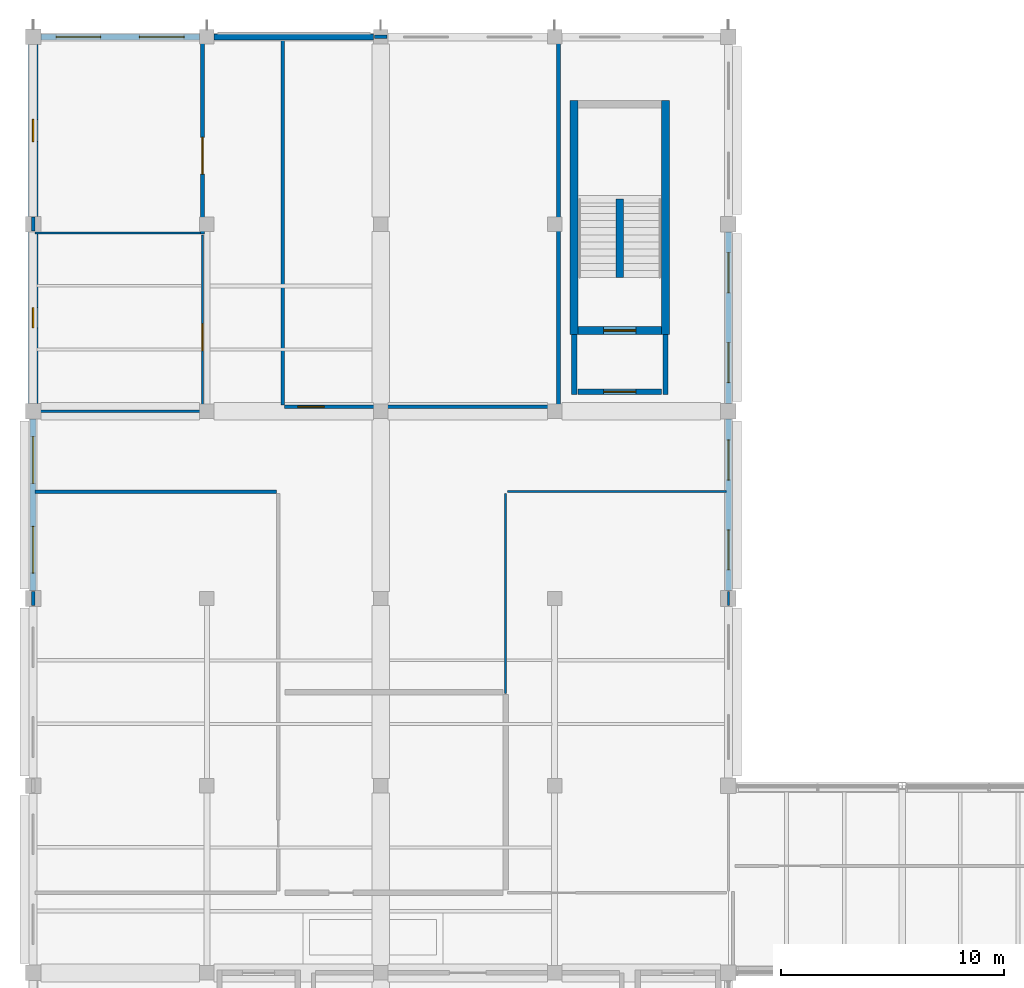
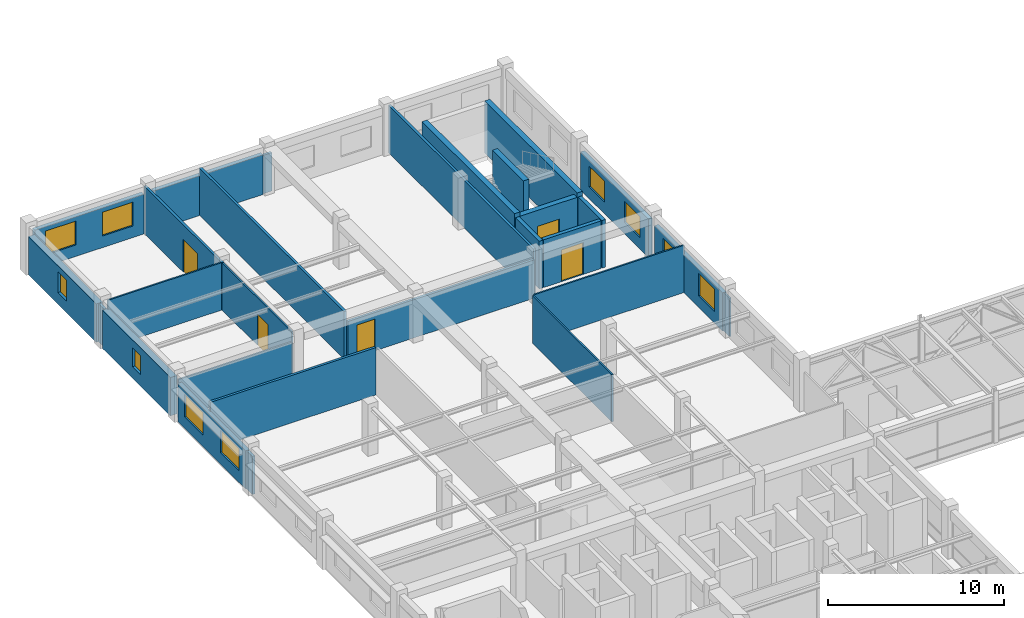
# One storey, part 43 of 49: 28 walls, 10 windows, 5 doors, 15 openings.
"""IFC4 building model written with IfcOpenShell, lengths in metres."""

from ifc_helpers import new_model, si_unit, direction, frame, frame_2d, origin, place, context, subcontext, project, spatial, rectangle, extrude, material, layer, layer_set, type_object, element, fill, save


model = new_model("IFC4")

# Units and contexts
model_context = context("Model", 3, precision=1e-05, world=origin(), true_north=direction((0.0, 1.0)))
body_context = subcontext(model_context, "Body", "Model", "MODEL_VIEW")
ifc_project = project(units=[si_unit("LENGTHUNIT", "METRE"), si_unit("AREAUNIT", "SQUARE_METRE"), si_unit("VOLUMEUNIT", "CUBIC_METRE"), si_unit("PLANEANGLEUNIT", "RADIAN"), si_unit("MASSUNIT", "GRAM", prefix="KILO"), si_unit("THERMODYNAMICTEMPERATUREUNIT", "KELVIN"), si_unit("POWERUNIT", "WATT")], contexts=[model_context])

# Site, building, storey
site_placement = place(None, origin())
site = spatial("IfcSite", under=ifc_project, at=site_placement, CompositionType="ELEMENT")
building_placement = place(site_placement, origin())
building = spatial("IfcBuilding", under=site, at=building_placement, Name="Srebrne Nadtorze General Hospital", CompositionType="ELEMENT")
storey_placement = place(building_placement, frame((0.0, 0.0, 26.10009765625)))
storey = spatial("IfcBuildingStorey", under=building, at=storey_placement, Name="L06", CompositionType="ELEMENT", Elevation=26.10009765625)

# Wall, opening, window
ifc_material_1 = material(Name="Concrete C40/50", Category="concrete")
ifc_layer_1 = layer(ifc_material_1, 0.419921875)
ifc_layer_set_1 = layer_set([ifc_layer_1], Name="Concrete C40/50")
wall_type_1 = type_object("IfcWallType", Name="Acoustic buffer wall 420", PredefinedType="SOLIDWALL", material=ifc_layer_set_1)
wall_1_placement = place(storey_placement, frame((23.39990234375, 75.949951171875, 0.0), z_axis=(0.0, 0.0, 1.0), x_axis=(0.0, 1.0, 0.0)))
wall_1 = element("IfcWall", 1, at=wall_1_placement, inside=storey, type_object=wall_type_1, Name="Exterior wall WL-ENV-L06-0487", PredefinedType="SOLIDWALL", context=body_context, shape_type="SweptSolid", body=[
    extrude(rectangle(XDim=7.699951171875, YDim=0.419921875, at=frame_2d((3.85009765625, 0.0))), origin(), (0.0, 0.0, 1.0), 2.64990234375),
])
opening_1_placement = place(wall_1_placement, frame((3.39990234375, 0.0, 0.800048828125)))
opening_1 = element("IfcOpeningElement", 2, at=opening_1_placement, cuts=wall_1, Name="Opening WN-L06-0807", PredefinedType="OPENING", context=body_context, shape_type="SweptSolid", body=[
    extrude(rectangle(XDim=0.89990234375, YDim=1.300048828125, at=frame_2d((0.449951171875, 0.64990234375))), frame((0.0, 0.221923828125, 0.0), z_axis=(0.0, -1.0, 0.0), x_axis=(1.0, 0.0, 0.0)), (0.0, 0.0, 1.0), 0.44384765625),
])
ifc_material_2 = material(Name="Triple Low-E Glazing", Category="glass")
window_type_1 = type_object("IfcWindowType", Name="Punched clinical window 900x1300", PartitioningType="SINGLE_PANEL", PredefinedType="WINDOW", material=ifc_material_2)
window_1_placement = place(opening_1_placement, origin())
window_1 = element("IfcWindow", 3, at=window_1_placement, inside=storey, type_object=window_type_1, Name="Clinical window WN-L06-0807", OverallHeight=1.300048828125, OverallWidth=0.89990234375, PartitioningType="SINGLE_PANEL", PredefinedType="WINDOW", context=body_context, shape_type="SweptSolid", body=[
    extrude(rectangle(XDim=0.89990234375, YDim=1.300048828125, at=frame_2d((0.449951171875, 0.64990234375))), frame((0.0, 0.030029296875, 0.0), z_axis=(0.0, -1.0, 0.0), x_axis=(1.0, 0.0, 0.0)), (0.0, 0.0, 1.0), 0.06005859375),
])
fill(opening_1, window_1)

wall_2_placement = place(storey_placement, frame((23.39990234375, 84.35009765625, 0.0), z_axis=(0.0, 0.0, 1.0), x_axis=(0.0, 1.0, 0.0)))
wall_2 = element("IfcWall", 4, at=wall_2_placement, inside=storey, type_object=wall_type_1, Name="Exterior wall WL-ENV-L06-0488", PredefinedType="SOLIDWALL", context=body_context, shape_type="SweptSolid", body=[
    extrude(rectangle(XDim=7.699951171875, YDim=0.419921875, at=frame_2d((3.85009765625, 0.0))), origin(), (0.0, 0.0, 1.0), 2.64990234375),
])
opening_2_placement = place(wall_2_placement, frame((3.35009765625, 0.0, 0.800048828125)))
opening_2 = element("IfcOpeningElement", 5, at=opening_2_placement, cuts=wall_2, Name="Opening WN-L06-0808", PredefinedType="OPENING", context=body_context, shape_type="SweptSolid", body=[
    extrude(rectangle(XDim=1.0, YDim=1.449951171875, at=frame_2d((0.5, 0.72509765625))), frame((0.0, 0.221923828125, 0.0), z_axis=(0.0, -1.0, 0.0), x_axis=(1.0, 0.0, 0.0)), (0.0, 0.0, 1.0), 0.44384765625),
])
ifc_material_3 = material(Name="Triple Low-E Glazing", Category="glass")
window_type_2 = type_object("IfcWindowType", Name="Punched clinical window 1000x1450", PartitioningType="SINGLE_PANEL", PredefinedType="WINDOW", material=ifc_material_3)
window_2_placement = place(opening_2_placement, origin())
window_2 = element("IfcWindow", 6, at=window_2_placement, inside=storey, type_object=window_type_2, Name="Clinical window WN-L06-0808", OverallHeight=1.449951171875, OverallWidth=1.0, PartitioningType="SINGLE_PANEL", PredefinedType="WINDOW", context=body_context, shape_type="SweptSolid", body=[
    extrude(rectangle(XDim=1.0, YDim=1.449951171875, at=frame_2d((0.5, 0.72509765625))), frame((0.0, 0.030029296875, 0.0), z_axis=(0.0, -1.0, 0.0), x_axis=(1.0, 0.0, 0.0)), (0.0, 0.0, 1.0), 0.06005859375),
])
fill(opening_2, window_2)

# Walls
ifc_material_4 = material(Name="Gypsum Healthcare Partition")
ifc_layer_2 = layer(ifc_material_4, 0.159912109375)
ifc_layer_set_2 = layer_set([ifc_layer_2], Name="Gypsum Healthcare Partition")
wall_type_2 = type_object("IfcWallType", Name="Clinical partition 160", PredefinedType="PARTITIONING", material=ifc_layer_set_2)
wall_3_placement = place(storey_placement, frame((23.485107421875, 72.0, 0.0), z_axis=(0.0, 0.0, 1.0), x_axis=(1.0, 0.0, 0.0)))
element("IfcWall", 7, at=wall_3_placement, inside=storey, type_object=wall_type_2, Name="Hydrotherapy and Gait Analysis Clinic wall WL-INT-L06-2180", PredefinedType="PARTITIONING", context=body_context, shape_type="SweptSolid", body=[
    extrude(rectangle(XDim=10.829833984375, YDim=0.159912109375, at=frame_2d((5.4150390625, 0.0))), origin(), (0.0, 0.0, 1.0), 3.27978515625),
])
wall_4_placement = place(storey_placement, frame((23.39990234375, 66.889892578125, 0.0), z_axis=(0.0, 0.0, 1.0), x_axis=(0.0, 1.0, 0.0)))
element("IfcWall", 8, at=wall_4_placement, inside=storey, type_object=wall_type_2, Name="Hydrotherapy and Gait Analysis Clinic wall WL-INT-L06-2182", PredefinedType="PARTITIONING", context=body_context, shape_type="SweptSolid", body=[
    extrude(rectangle(XDim=0.6201171875, YDim=0.159912109375, at=frame_2d((0.31005859375, 0.0))), origin(), (0.0, 0.0, 1.0), 2.64990234375),
])

# Wall, opening, door
wall_5_placement = place(storey_placement, frame((34.68505859375, 75.800048828125, 0.0), z_axis=(0.0, 0.0, 1.0), x_axis=(1.0, 0.0, 0.0)))
wall_5 = element("IfcWall", 9, at=wall_5_placement, inside=storey, type_object=wall_type_2, Name="Sleep and Neurophysiology Diagnostics wall WL-INT-L06-2191", PredefinedType="PARTITIONING", context=body_context, shape_type="SweptSolid", body=[
    extrude(rectangle(XDim=12.204833984375, YDim=0.159912109375, at=frame_2d((6.1025390625, 0.0))), origin(), (0.0, 0.0, 1.0), 2.64990234375),
])
opening_3_placement = place(wall_5_placement, frame((0.591552734375, 0.0, 0.0)))
opening_3 = element("IfcOpeningElement", 10, at=opening_3_placement, cuts=wall_5, Name="Opening D-L06-0472", PredefinedType="OPENING", context=body_context, shape_type="SweptSolid", body=[
    extrude(rectangle(XDim=1.179931640625, YDim=2.199951171875, at=frame_2d((0.58984375, 1.10009765625))), frame((0.0, 0.091796875, 0.0), z_axis=(0.0, -1.0, 0.0), x_axis=(1.0, 0.0, 0.0)), (0.0, 0.0, 1.0), 0.183837890625),
])
ifc_material_5 = material(Name="Anodised Aluminium", Category="aluminium")
door_type_1 = type_object("IfcDoorType", Name="Single leaf door 1180x2200", OperationType="NOTDEFINED", PredefinedType="DOOR", material=ifc_material_5)
door_1_placement = place(opening_3_placement, origin())
door_1 = element("IfcDoor", 11, at=door_1_placement, inside=storey, type_object=door_type_1, Name="Sleep and Neurophysiology Diagnostics door D-L06-0472", OperationType="SINGLE_SWING_LEFT", OverallHeight=2.199951171875, OverallWidth=1.179931640625, PredefinedType="DOOR", context=body_context, shape_type="SweptSolid", body=[
    extrude(rectangle(XDim=1.179931640625, YDim=2.199951171875, at=frame_2d((0.58984375, 1.10009765625))), frame((0.0, 0.02490234375, 0.0), z_axis=(0.0, -1.0, 0.0), x_axis=(1.0, 0.0, 0.0)), (0.0, 0.0, 1.0), 0.050048828125),
])
fill(opening_3, door_1)

# Walls
wall_6_placement = place(storey_placement, frame((38.715087890625, 92.39990234375, 0.0), z_axis=(0.0, 0.0, 1.0), x_axis=(1.0, 0.0, 0.0)))
element("IfcWall", 12, at=wall_6_placement, inside=storey, type_object=wall_type_2, Name="Sleep and Neurophysiology Diagnostics wall WL-INT-L06-2192", PredefinedType="PARTITIONING", context=body_context, shape_type="SweptSolid", body=[
    extrude(rectangle(XDim=0.56982421875, YDim=0.159912109375, at=frame_2d((0.284912109375, 0.0))), origin(), (0.0, 0.0, 1.0), 2.64990234375),
])
for number, where, z_axis, x_axis, name in (
    (13, (34.60009765625, 75.885009765625, 0.0), (0.0, 0.0, 1.0), (0.0, 1.0, 0.0), "Sleep and Neurophysiology Diagnostics wall WL-INT-L06-2193"),
    (14, (46.97509765625, 75.885009765625, 0.0), (0.0, 0.0, 1.0), (0.0, 1.0, 0.0), "Sleep and Neurophysiology Diagnostics wall WL-INT-L06-2194"),
):
    element("IfcWall", number, at=place(storey_placement, frame(where, z_axis=z_axis, x_axis=x_axis)), inside=storey, type_object=wall_type_2, Name=name, PredefinedType="PARTITIONING", context=body_context, shape_type="SweptSolid", body=[
        extrude(rectangle(XDim=16.429931640625, YDim=0.159912109375, at=frame_2d((8.21484375, 0.0))), origin(), (0.0, 0.0, 1.0), 3.27978515625),
    ])
wall_7_placement = place(storey_placement, frame((23.39990234375, 83.68994140625, 0.0), z_axis=(0.0, 0.0, 1.0), x_axis=(0.0, 1.0, 0.0)))
element("IfcWall", 15, at=wall_7_placement, inside=storey, type_object=wall_type_2, Name="Vestibular Diagnostics Laboratory wall WL-INT-L06-2202", PredefinedType="PARTITIONING", context=body_context, shape_type="SweptSolid", body=[
    extrude(rectangle(XDim=0.6201171875, YDim=0.159912109375, at=frame_2d((0.31005859375, 0.0))), origin(), (0.0, 0.0, 1.0), 2.64990234375),
])

# Wall, opening, door
wall_8_placement = place(storey_placement, frame((31.0, 83.554931640625, 0.0), z_axis=(0.0, 0.0, 1.0), x_axis=(0.0, 1.0, 0.0)))
wall_8 = element("IfcWall", 16, at=wall_8_placement, inside=storey, type_object=wall_type_2, Name="Vestibular Diagnostics Laboratory wall WL-INT-L06-2203", PredefinedType="PARTITIONING", context=body_context, shape_type="SweptSolid", body=[
    extrude(rectangle(XDim=8.760009765625, YDim=0.159912109375, at=frame_2d((4.3798828125, 0.0))), origin(), (0.0, 0.0, 1.0), 3.27978515625),
])
opening_4_placement = place(wall_8_placement, frame((2.685302734375, 0.0, 0.0)))
opening_4 = element("IfcOpeningElement", 17, at=opening_4_placement, cuts=wall_8, Name="Opening D-L06-0475", PredefinedType="OPENING", context=body_context, shape_type="SweptSolid", body=[
    extrude(rectangle(XDim=1.64990234375, YDim=2.25, at=frame_2d((0.824951171875, 1.125))), frame((0.0, 0.091796875, 0.0), z_axis=(0.0, -1.0, 0.0), x_axis=(1.0, 0.0, 0.0)), (0.0, 0.0, 1.0), 0.183837890625),
])
ifc_material_6 = material(Name="Anodised Aluminium", Category="aluminium")
door_type_2 = type_object("IfcDoorType", Name="Double leaf door 1650x2250", OperationType="DOUBLE_DOOR_SINGLE_SWING", PredefinedType="DOOR", material=ifc_material_6)
door_2_placement = place(opening_4_placement, origin())
door_2 = element("IfcDoor", 18, at=door_2_placement, inside=storey, type_object=door_type_2, Name="Vestibular Diagnostics Laboratory door D-L06-0475", OperationType="DOUBLE_DOOR_SINGLE_SWING", OverallHeight=2.25, OverallWidth=1.64990234375, PredefinedType="DOOR", context=body_context, shape_type="SweptSolid", body=[
    extrude(rectangle(XDim=1.64990234375, YDim=2.25, at=frame_2d((0.824951171875, 1.125))), frame((0.0, 0.02490234375, 0.0), z_axis=(0.0, -1.0, 0.0), x_axis=(1.0, 0.0, 0.0)), (0.0, 0.0, 1.0), 0.050048828125),
])
fill(opening_4, door_2)

# Walls
ifc_material_7 = material(Name="Gypsum Healthcare Partition")
ifc_layer_3 = layer(ifc_material_7, 0.239990234375)
ifc_layer_set_3 = layer_set([ifc_layer_3], Name="Gypsum Healthcare Partition")
wall_type_3 = type_object("IfcWallType", Name="Corridor fire wall 240", PredefinedType="STANDARD", material=ifc_layer_set_3)
for number, where, z_axis, x_axis, name in (
    (19, (47.675048828125, 76.35498046875, 0.0), (0.0, 0.0, 1.0), (0.0, 1.0, 0.0), "Fire lobby wall ST-02 WL-INT-L06-0389"),
    (20, (51.77490234375, 76.35498046875, 0.0), (0.0, 0.0, 1.0), (0.0, 1.0, 0.0), "Fire lobby wall ST-02 WL-INT-L06-0390"),
):
    element("IfcWall", number, at=place(storey_placement, frame(where, z_axis=z_axis, x_axis=x_axis)), inside=storey, type_object=wall_type_3, Name=name, PredefinedType="STANDARD", context=body_context, shape_type="SweptSolid", body=[
        extrude(rectangle(XDim=2.695068359375, YDim=0.239990234375, at=frame_2d((1.34765625, 0.0))), origin(), (0.0, 0.0, 1.0), 3.2998046875),
    ])

# Wall, opening, door
wall_9_placement = place(storey_placement, frame((47.85009765625, 76.47509765625, 0.0), z_axis=(0.0, 0.0, 1.0), x_axis=(1.0, 0.0, 0.0)))
wall_9 = element("IfcWall", 21, at=wall_9_placement, inside=storey, type_object=wall_type_3, Name="Fire lobby entry wall ST-02 WL-INT-L06-0391", PredefinedType="STANDARD", context=body_context, shape_type="SweptSolid", body=[
    extrude(rectangle(XDim=3.75, YDim=0.239990234375, at=frame_2d((1.875, 0.0))), origin(), (0.0, 0.0, 1.0), 3.2998046875),
])
opening_5_placement = place(wall_9_placement, frame((1.14990234375, 0.0, 0.0)))
opening_5 = element("IfcOpeningElement", 22, at=opening_5_placement, cuts=wall_9, Name="Opening D-L06-0098", PredefinedType="OPENING", context=body_context, shape_type="SweptSolid", body=[
    extrude(rectangle(XDim=1.449951171875, YDim=2.199951171875, at=frame_2d((0.72509765625, 1.10009765625))), frame((0.0, 0.1318359375, 0.0), z_axis=(0.0, -1.0, 0.0), x_axis=(1.0, 0.0, 0.0)), (0.0, 0.0, 1.0), 0.263916015625),
])
ifc_material_8 = material(Name="Anodised Aluminium", Category="aluminium")
door_type_3 = type_object("IfcDoorType", Name="Double leaf door 1450x2200", OperationType="DOUBLE_DOOR_SINGLE_SWING", PredefinedType="DOOR", material=ifc_material_8)
door_3_placement = place(opening_5_placement, origin())
door_3 = element("IfcDoor", 23, at=door_3_placement, inside=storey, type_object=door_type_3, Name="Fire lobby door ST-02 D-L06-0098", OperationType="DOUBLE_DOOR_SINGLE_SWING", OverallHeight=2.199951171875, OverallWidth=1.449951171875, PredefinedType="DOOR", context=body_context, shape_type="SweptSolid", body=[
    extrude(rectangle(XDim=1.449951171875, YDim=2.199951171875, at=frame_2d((0.72509765625, 1.10009765625))), frame((0.0, 0.02490234375, 0.0), z_axis=(0.0, -1.0, 0.0), x_axis=(1.0, 0.0, 0.0)), (0.0, 0.0, 1.0), 0.050048828125),
])
fill(opening_5, door_3)

# Walls
ifc_material_9 = material(Name="Gypsum Healthcare Partition")
ifc_layer_4 = layer(ifc_material_9, 0.10009765625)
ifc_layer_set_4 = layer_set([ifc_layer_4], Name="Gypsum Healthcare Partition")
wall_type_4 = type_object("IfcWallType", Name="Shaft lining wall 100", PredefinedType="PARTITIONING", material=ifc_layer_set_4)
wall_10_placement = place(storey_placement, frame((44.68505859375, 72.0, 0.0), z_axis=(0.0, 0.0, 1.0), x_axis=(1.0, 0.0, 0.0)))
element("IfcWall", 24, at=wall_10_placement, inside=storey, type_object=wall_type_4, Name="Tele-ICU Clinical Monitoring Centre wall WL-INT-L06-2187", PredefinedType="PARTITIONING", context=body_context, shape_type="SweptSolid", body=[
    extrude(rectangle(XDim=9.829833984375, YDim=0.10009765625, at=frame_2d((4.9150390625, 0.0))), origin(), (0.0, 0.0, 1.0), 3.27978515625),
])
wall_11_placement = place(storey_placement, frame((44.60009765625, 62.929931640625, 0.0), z_axis=(0.0, 0.0, 1.0), x_axis=(0.0, 1.0, 0.0)))
element("IfcWall", 25, at=wall_11_placement, inside=storey, type_object=wall_type_4, Name="Tele-ICU Clinical Monitoring Centre wall WL-INT-L06-2188", PredefinedType="PARTITIONING", context=body_context, shape_type="SweptSolid", body=[
    extrude(rectangle(XDim=8.985107421875, YDim=0.10009765625, at=frame_2d((4.49267578125, 0.0))), origin(), (0.0, 0.0, 1.0), 3.27978515625),
])
wall_12_placement = place(storey_placement, frame((54.60009765625, 66.889892578125, 0.0), z_axis=(0.0, 0.0, 1.0), x_axis=(0.0, 1.0, 0.0)))
element("IfcWall", 26, at=wall_12_placement, inside=storey, type_object=wall_type_4, Name="Tele-ICU Clinical Monitoring Centre wall WL-INT-L06-2190", PredefinedType="PARTITIONING", context=body_context, shape_type="SweptSolid", body=[
    extrude(rectangle(XDim=0.6201171875, YDim=0.10009765625, at=frame_2d((0.31005859375, 0.0))), origin(), (0.0, 0.0, 1.0), 2.64990234375),
])

# Wall, opening, door
wall_13_placement = place(storey_placement, frame((31.0, 75.68505859375, 0.0), z_axis=(0.0, 0.0, 1.0), x_axis=(0.0, 1.0, 0.0)))
wall_13 = element("IfcWall", 27, at=wall_13_placement, inside=storey, type_object=wall_type_4, Name="Neuro-Otology Balance Clinic wall WL-INT-L06-2199", PredefinedType="PARTITIONING", context=body_context, shape_type="SweptSolid", body=[
    extrude(rectangle(XDim=7.829833984375, YDim=0.10009765625, at=frame_2d((3.9150390625, 0.0))), origin(), (0.0, 0.0, 1.0), 3.27978515625),
])
opening_6_placement = place(wall_13_placement, frame((2.626220703125, 0.0, 0.0)))
opening_6 = element("IfcOpeningElement", 28, at=opening_6_placement, cuts=wall_13, Name="Opening D-L06-0474", PredefinedType="OPENING", context=body_context, shape_type="SweptSolid", body=[
    extrude(rectangle(XDim=1.219970703125, YDim=2.14990234375, at=frame_2d((0.60986328125, 1.074951171875))), frame((0.0, 0.06201171875, 0.0), z_axis=(0.0, -1.0, 0.0), x_axis=(1.0, 0.0, 0.0)), (0.0, 0.0, 1.0), 0.1240234375),
])
ifc_material_10 = material(Name="Anodised Aluminium", Category="aluminium")
door_type_4 = type_object("IfcDoorType", Name="Single leaf door 1220x2150", OperationType="NOTDEFINED", PredefinedType="DOOR", material=ifc_material_10)
door_4_placement = place(opening_6_placement, origin())
door_4 = element("IfcDoor", 29, at=door_4_placement, inside=storey, type_object=door_type_4, Name="Neuro-Otology Balance Clinic door D-L06-0474", OperationType="SINGLE_SWING_RIGHT", OverallHeight=2.14990234375, OverallWidth=1.219970703125, PredefinedType="DOOR", context=body_context, shape_type="SweptSolid", body=[
    extrude(rectangle(XDim=1.219970703125, YDim=2.14990234375, at=frame_2d((0.60986328125, 1.074951171875))), frame((0.0, 0.02490234375, 0.0), z_axis=(0.0, -1.0, 0.0), x_axis=(1.0, 0.0, 0.0)), (0.0, 0.0, 1.0), 0.050048828125),
])
fill(opening_6, door_4)

# Walls
wall_14_placement = place(storey_placement, frame((23.485107421875, 75.60009765625, 0.0), z_axis=(0.0, 0.0, 1.0), x_axis=(1.0, 0.0, 0.0)))
element("IfcWall", 30, at=wall_14_placement, inside=storey, type_object=wall_type_4, Name="Neuro-Otology Balance Clinic wall WL-INT-L06-2200", PredefinedType="PARTITIONING", context=body_context, shape_type="SweptSolid", body=[
    extrude(rectangle(XDim=7.429931640625, YDim=0.10009765625, at=frame_2d((3.71484375, 0.0))), origin(), (0.0, 0.0, 1.0), 2.64990234375),
])
wall_15_placement = place(storey_placement, frame((23.485107421875, 83.60009765625, 0.0), z_axis=(0.0, 0.0, 1.0), x_axis=(1.0, 0.0, 0.0)))
element("IfcWall", 31, at=wall_15_placement, inside=storey, type_object=wall_type_4, Name="Neuro-Otology Balance Clinic wall WL-INT-L06-2201", PredefinedType="PARTITIONING", context=body_context, shape_type="SweptSolid", body=[
    extrude(rectangle(XDim=7.429931640625, YDim=0.10009765625, at=frame_2d((3.71484375, 0.0))), origin(), (0.0, 0.0, 1.0), 3.27978515625),
])
ifc_material_11 = material(Name="Concrete C40/50", Category="concrete")
ifc_layer_5 = layer(ifc_material_11, 0.35009765625)
ifc_layer_set_5 = layer_set([ifc_layer_5], Name="Concrete C40/50")
wall_type_5 = type_object("IfcWallType", Name="Shear core wall 350", PredefinedType="SHEAR", material=ifc_layer_set_5)
for number, where, z_axis, x_axis, name in (
    (32, (47.675048828125, 79.050048828125, 0.0), (0.0, 0.0, 1.0), (0.0, 1.0, 0.0), "Stair core wall ST-02 WL-INT-L06-0385"),
    (33, (51.77490234375, 79.050048828125, 0.0), (0.0, 0.0, 1.0), (0.0, 1.0, 0.0), "Stair core wall ST-02 WL-INT-L06-0386"),
):
    element("IfcWall", number, at=place(storey_placement, frame(where, z_axis=z_axis, x_axis=x_axis)), inside=storey, type_object=wall_type_5, Name=name, PredefinedType="SHEAR", context=body_context, shape_type="SweptSolid", body=[
        extrude(rectangle(XDim=10.5, YDim=0.35009765625, at=frame_2d((5.25, 0.0))), origin(), (0.0, 0.0, 1.0), 3.599853515625),
    ])

# Wall, opening, door
wall_16_placement = place(storey_placement, frame((47.85009765625, 79.22509765625, 0.0), z_axis=(0.0, 0.0, 1.0), x_axis=(1.0, 0.0, 0.0)))
wall_16 = element("IfcWall", 34, at=wall_16_placement, inside=storey, type_object=wall_type_5, Name="Stairwell fire wall ST-02 WL-INT-L06-0388", PredefinedType="SHEAR", context=body_context, shape_type="SweptSolid", body=[
    extrude(rectangle(XDim=3.75, YDim=0.35009765625, at=frame_2d((1.875, 0.0))), origin(), (0.0, 0.0, 1.0), 3.2998046875),
])
opening_7_placement = place(wall_16_placement, frame((1.14990234375, 0.0, 0.0)))
opening_7 = element("IfcOpeningElement", 35, at=opening_7_placement, cuts=wall_16, Name="Opening D-L06-0097", PredefinedType="OPENING", context=body_context, shape_type="SweptSolid", body=[
    extrude(rectangle(XDim=1.449951171875, YDim=2.199951171875, at=frame_2d((0.72509765625, 1.10009765625))), frame((0.0, 0.18701171875, 0.0), z_axis=(0.0, -1.0, 0.0), x_axis=(1.0, 0.0, 0.0)), (0.0, 0.0, 1.0), 0.3740234375),
])
door_5_placement = place(opening_7_placement, origin())
door_5 = element("IfcDoor", 36, at=door_5_placement, inside=storey, type_object=door_type_3, Name="Protected stair door ST-02 D-L06-0097", OperationType="DOUBLE_DOOR_SINGLE_SWING", OverallHeight=2.199951171875, OverallWidth=1.449951171875, PredefinedType="DOOR", context=body_context, shape_type="SweptSolid", body=[
    extrude(rectangle(XDim=1.449951171875, YDim=2.199951171875, at=frame_2d((0.72509765625, 1.10009765625))), frame((0.0, 0.02490234375, 0.0), z_axis=(0.0, -1.0, 0.0), x_axis=(1.0, 0.0, 0.0)), (0.0, 0.0, 1.0), 0.050048828125),
])
fill(opening_7, door_5)

# Wall
wall_17_placement = place(storey_placement, frame((49.72509765625, 81.60009765625, 0.0), z_axis=(0.0, 0.0, 1.0), x_axis=(0.0, 1.0, 0.0)))
element("IfcWall", 37, at=wall_17_placement, inside=storey, type_object=wall_type_5, Name="Stair spine wall ST-02 WL-INT-L06-0392", PredefinedType="SHEAR", context=body_context, shape_type="SweptSolid", body=[
    extrude(rectangle(XDim=3.52001953125, YDim=0.35009765625, at=frame_2d((1.760009765625, 0.0))), origin(), (0.0, 0.0, 1.0), 3.599853515625),
])

# Wall, openings, windows
ifc_material_12 = material(Name="Concrete C35/45 precast", Category="concrete")
ifc_layer_6 = layer(ifc_material_12, 0.260009765625)
ifc_layer_set_6 = layer_set([ifc_layer_6], Name="Concrete C35/45 precast")
wall_type_6 = type_object("IfcWallType", Name="Spandrel wall 260", PredefinedType="STANDARD", material=ifc_layer_set_6)
wall_18_placement = place(storey_placement, frame((23.75, 92.39990234375, 0.0), z_axis=(0.0, 0.0, 1.0), x_axis=(1.0, 0.0, 0.0)))
wall_18 = element("IfcWall", 38, at=wall_18_placement, inside=storey, type_object=wall_type_6, Name="Exterior wall WL-ENV-L06-0470", PredefinedType="STANDARD", context=body_context, shape_type="SweptSolid", body=[
    extrude(rectangle(XDim=7.125, YDim=0.260009765625, at=frame_2d((3.5625, 0.0))), origin(), (0.0, 0.0, 1.0), 2.75),
])
opening_8_placement = place(wall_18_placement, frame((0.677978515625, 0.0, 0.800048828125)))
opening_8 = element("IfcOpeningElement", 39, at=opening_8_placement, cuts=wall_18, Name="Opening WN-L06-0779", PredefinedType="OPENING", context=body_context, shape_type="SweptSolid", body=[
    extrude(rectangle(XDim=2.0, YDim=1.64990234375, at=frame_2d((1.0, 0.824951171875))), frame((0.0, 0.14208984375, 0.0), z_axis=(0.0, -1.0, 0.0), x_axis=(1.0, 0.0, 0.0)), (0.0, 0.0, 1.0), 0.283935546875),
])
opening_9_placement = place(wall_18_placement, frame((4.422119140625, 0.0, 0.800048828125)))
opening_9 = element("IfcOpeningElement", 40, at=opening_9_placement, cuts=wall_18, Name="Opening WN-L06-0780", PredefinedType="OPENING", context=body_context, shape_type="SweptSolid", body=[
    extrude(rectangle(XDim=2.0, YDim=1.64990234375, at=frame_2d((1.0, 0.824951171875))), frame((0.0, 0.14208984375, 0.0), z_axis=(0.0, -1.0, 0.0), x_axis=(1.0, 0.0, 0.0)), (0.0, 0.0, 1.0), 0.283935546875),
])
ifc_material_13 = material(Name="Triple Low-E Glazing", Category="glass")
window_type_3 = type_object("IfcWindowType", Name="Punched clinical window 2000x1650", PartitioningType="DOUBLE_PANEL_VERTICAL", PredefinedType="WINDOW", material=ifc_material_13)
window_3_placement = place(opening_8_placement, origin())
window_3 = element("IfcWindow", 41, at=window_3_placement, inside=storey, type_object=window_type_3, Name="Clinical window WN-L06-0779", OverallHeight=1.64990234375, OverallWidth=2.0, PartitioningType="DOUBLE_PANEL_VERTICAL", PredefinedType="WINDOW", context=body_context, shape_type="SweptSolid", body=[
    extrude(rectangle(XDim=2.0, YDim=1.64990234375, at=frame_2d((1.0, 0.824951171875))), frame((0.0, 0.030029296875, 0.0), z_axis=(0.0, -1.0, 0.0), x_axis=(1.0, 0.0, 0.0)), (0.0, 0.0, 1.0), 0.06005859375),
])
fill(opening_8, window_3)
window_4_placement = place(opening_9_placement, origin())
window_4 = element("IfcWindow", 42, at=window_4_placement, inside=storey, type_object=window_type_3, Name="Clinical window WN-L06-0780", OverallHeight=1.64990234375, OverallWidth=2.0, PartitioningType="DOUBLE_PANEL_VERTICAL", PredefinedType="WINDOW", context=body_context, shape_type="SweptSolid", body=[
    extrude(rectangle(XDim=2.0, YDim=1.64990234375, at=frame_2d((1.0, 0.824951171875))), frame((0.0, 0.030029296875, 0.0), z_axis=(0.0, -1.0, 0.0), x_axis=(1.0, 0.0, 0.0)), (0.0, 0.0, 1.0), 0.06005859375),
])
fill(opening_9, window_4)

# Wall
wall_19_placement = place(storey_placement, frame((31.52490234375, 92.39990234375, 0.0), z_axis=(0.0, 0.0, 1.0), x_axis=(1.0, 0.0, 0.0)))
element("IfcWall", 43, at=wall_19_placement, inside=storey, type_object=wall_type_6, Name="Exterior wall WL-ENV-L06-0471", PredefinedType="STANDARD", context=body_context, shape_type="SweptSolid", body=[
    extrude(rectangle(XDim=7.150146484375, YDim=0.260009765625, at=frame_2d((3.5751953125, 0.0))), origin(), (0.0, 0.0, 1.0), 2.75),
])

# Wall, openings, windows
wall_20_placement = place(storey_placement, frame((23.39990234375, 67.550048828125, 0.0), z_axis=(0.0, 0.0, 1.0), x_axis=(0.0, 1.0, 0.0)))
wall_20 = element("IfcWall", 44, at=wall_20_placement, inside=storey, type_object=wall_type_6, Name="Exterior wall WL-ENV-L06-0486", PredefinedType="STANDARD", context=body_context, shape_type="SweptSolid", body=[
    extrude(rectangle(XDim=7.699951171875, YDim=0.260009765625, at=frame_2d((3.85009765625, 0.0))), origin(), (0.0, 0.0, 1.0), 2.64990234375),
])
opening_10_placement = place(wall_20_placement, frame((0.783935546875, 0.0, 0.800048828125)))
opening_10 = element("IfcOpeningElement", 45, at=opening_10_placement, cuts=wall_20, Name="Opening WN-L06-0805", PredefinedType="OPENING", context=body_context, shape_type="SweptSolid", body=[
    extrude(rectangle(XDim=2.10009765625, YDim=1.550048828125, at=frame_2d((1.050048828125, 0.77490234375))), frame((0.0, 0.14208984375, 0.0), z_axis=(0.0, -1.0, 0.0), x_axis=(1.0, 0.0, 0.0)), (0.0, 0.0, 1.0), 0.283935546875),
])
opening_11_placement = place(wall_20_placement, frame((4.81591796875, 0.0, 0.800048828125)))
opening_11 = element("IfcOpeningElement", 46, at=opening_11_placement, cuts=wall_20, Name="Opening WN-L06-0806", PredefinedType="OPENING", context=body_context, shape_type="SweptSolid", body=[
    extrude(rectangle(XDim=2.10009765625, YDim=1.550048828125, at=frame_2d((1.050048828125, 0.77490234375))), frame((0.0, 0.14208984375, 0.0), z_axis=(0.0, -1.0, 0.0), x_axis=(1.0, 0.0, 0.0)), (0.0, 0.0, 1.0), 0.283935546875),
])
ifc_material_14 = material(Name="Triple Low-E Glazing", Category="glass")
window_type_4 = type_object("IfcWindowType", Name="Punched clinical window 2100x1550", PartitioningType="DOUBLE_PANEL_VERTICAL", PredefinedType="WINDOW", material=ifc_material_14)
window_5_placement = place(opening_10_placement, origin())
window_5 = element("IfcWindow", 47, at=window_5_placement, inside=storey, type_object=window_type_4, Name="Clinical window WN-L06-0805", OverallHeight=1.550048828125, OverallWidth=2.10009765625, PartitioningType="DOUBLE_PANEL_VERTICAL", PredefinedType="WINDOW", context=body_context, shape_type="SweptSolid", body=[
    extrude(rectangle(XDim=2.10009765625, YDim=1.550048828125, at=frame_2d((1.050048828125, 0.77490234375))), frame((0.0, 0.030029296875, 0.0), z_axis=(0.0, -1.0, 0.0), x_axis=(1.0, 0.0, 0.0)), (0.0, 0.0, 1.0), 0.06005859375),
])
fill(opening_10, window_5)
window_6_placement = place(opening_11_placement, origin())
window_6 = element("IfcWindow", 48, at=window_6_placement, inside=storey, type_object=window_type_4, Name="Clinical window WN-L06-0806", OverallHeight=1.550048828125, OverallWidth=2.10009765625, PartitioningType="DOUBLE_PANEL_VERTICAL", PredefinedType="WINDOW", context=body_context, shape_type="SweptSolid", body=[
    extrude(rectangle(XDim=2.10009765625, YDim=1.550048828125, at=frame_2d((1.050048828125, 0.77490234375))), frame((0.0, 0.030029296875, 0.0), z_axis=(0.0, -1.0, 0.0), x_axis=(1.0, 0.0, 0.0)), (0.0, 0.0, 1.0), 0.06005859375),
])
fill(opening_11, window_6)

wall_21_placement = place(storey_placement, frame((54.60009765625, 67.550048828125, 0.0), z_axis=(0.0, 0.0, 1.0), x_axis=(0.0, 1.0, 0.0)))
wall_21 = element("IfcWall", 49, at=wall_21_placement, inside=storey, type_object=wall_type_6, Name="Exterior wall WL-ENV-L06-0492", PredefinedType="STANDARD", context=body_context, shape_type="SweptSolid", body=[
    extrude(rectangle(XDim=7.699951171875, YDim=0.260009765625, at=frame_2d((3.85009765625, 0.0))), origin(), (0.0, 0.0, 1.0), 2.64990234375),
])
opening_12_placement = place(wall_21_placement, frame((0.93408203125, 0.0, 0.800048828125)))
opening_12 = element("IfcOpeningElement", 50, at=opening_12_placement, cuts=wall_21, Name="Opening WN-L06-0815", PredefinedType="OPENING", context=body_context, shape_type="SweptSolid", body=[
    extrude(rectangle(XDim=1.800048828125, YDim=1.550048828125, at=frame_2d((0.89990234375, 0.77490234375))), frame((0.0, 0.14208984375, 0.0), z_axis=(0.0, -1.0, 0.0), x_axis=(1.0, 0.0, 0.0)), (0.0, 0.0, 1.0), 0.283935546875),
])
opening_13_placement = place(wall_21_placement, frame((4.966064453125, 0.0, 0.800048828125)))
opening_13 = element("IfcOpeningElement", 51, at=opening_13_placement, cuts=wall_21, Name="Opening WN-L06-0816", PredefinedType="OPENING", context=body_context, shape_type="SweptSolid", body=[
    extrude(rectangle(XDim=1.800048828125, YDim=1.550048828125, at=frame_2d((0.89990234375, 0.77490234375))), frame((0.0, 0.14208984375, 0.0), z_axis=(0.0, -1.0, 0.0), x_axis=(1.0, 0.0, 0.0)), (0.0, 0.0, 1.0), 0.283935546875),
])
ifc_material_15 = material(Name="Triple Low-E Glazing", Category="glass")
window_type_5 = type_object("IfcWindowType", Name="Punched clinical window 1800x1550", PartitioningType="DOUBLE_PANEL_VERTICAL", PredefinedType="WINDOW", material=ifc_material_15)
window_7_placement = place(opening_12_placement, origin())
window_7 = element("IfcWindow", 52, at=window_7_placement, inside=storey, type_object=window_type_5, Name="Clinical window WN-L06-0815", OverallHeight=1.550048828125, OverallWidth=1.800048828125, PartitioningType="DOUBLE_PANEL_VERTICAL", PredefinedType="WINDOW", context=body_context, shape_type="SweptSolid", body=[
    extrude(rectangle(XDim=1.800048828125, YDim=1.550048828125, at=frame_2d((0.89990234375, 0.77490234375))), frame((0.0, 0.030029296875, 0.0), z_axis=(0.0, -1.0, 0.0), x_axis=(1.0, 0.0, 0.0)), (0.0, 0.0, 1.0), 0.06005859375),
])
fill(opening_12, window_7)
window_8_placement = place(opening_13_placement, origin())
window_8 = element("IfcWindow", 53, at=window_8_placement, inside=storey, type_object=window_type_5, Name="Clinical window WN-L06-0816", OverallHeight=1.550048828125, OverallWidth=1.800048828125, PartitioningType="DOUBLE_PANEL_VERTICAL", PredefinedType="WINDOW", context=body_context, shape_type="SweptSolid", body=[
    extrude(rectangle(XDim=1.800048828125, YDim=1.550048828125, at=frame_2d((0.89990234375, 0.77490234375))), frame((0.0, 0.030029296875, 0.0), z_axis=(0.0, -1.0, 0.0), x_axis=(1.0, 0.0, 0.0)), (0.0, 0.0, 1.0), 0.06005859375),
])
fill(opening_13, window_8)

wall_22_placement = place(storey_placement, frame((54.60009765625, 75.949951171875, 0.0), z_axis=(0.0, 0.0, 1.0), x_axis=(0.0, 1.0, 0.0)))
wall_22 = element("IfcWall", 54, at=wall_22_placement, inside=storey, type_object=wall_type_6, Name="Exterior wall WL-ENV-L06-0493", PredefinedType="STANDARD", context=body_context, shape_type="SweptSolid", body=[
    extrude(rectangle(XDim=7.699951171875, YDim=0.260009765625, at=frame_2d((3.85009765625, 0.0))), origin(), (0.0, 0.0, 1.0), 2.64990234375),
])
opening_14_placement = place(wall_22_placement, frame((0.93408203125, 0.0, 0.800048828125)))
opening_14 = element("IfcOpeningElement", 55, at=opening_14_placement, cuts=wall_22, Name="Opening WN-L06-0817", PredefinedType="OPENING", context=body_context, shape_type="SweptSolid", body=[
    extrude(rectangle(XDim=1.800048828125, YDim=1.449951171875, at=frame_2d((0.89990234375, 0.72509765625))), frame((0.0, 0.14208984375, 0.0), z_axis=(0.0, -1.0, 0.0), x_axis=(1.0, 0.0, 0.0)), (0.0, 0.0, 1.0), 0.283935546875),
])
opening_15_placement = place(wall_22_placement, frame((4.966064453125, 0.0, 0.800048828125)))
opening_15 = element("IfcOpeningElement", 56, at=opening_15_placement, cuts=wall_22, Name="Opening WN-L06-0818", PredefinedType="OPENING", context=body_context, shape_type="SweptSolid", body=[
    extrude(rectangle(XDim=1.800048828125, YDim=1.449951171875, at=frame_2d((0.89990234375, 0.72509765625))), frame((0.0, 0.14208984375, 0.0), z_axis=(0.0, -1.0, 0.0), x_axis=(1.0, 0.0, 0.0)), (0.0, 0.0, 1.0), 0.283935546875),
])
ifc_material_16 = material(Name="Triple Low-E Glazing", Category="glass")
window_type_6 = type_object("IfcWindowType", Name="Punched clinical window 1800x1450", PartitioningType="DOUBLE_PANEL_VERTICAL", PredefinedType="WINDOW", material=ifc_material_16)
window_9_placement = place(opening_14_placement, origin())
window_9 = element("IfcWindow", 57, at=window_9_placement, inside=storey, type_object=window_type_6, Name="Clinical window WN-L06-0817", OverallHeight=1.449951171875, OverallWidth=1.800048828125, PartitioningType="DOUBLE_PANEL_VERTICAL", PredefinedType="WINDOW", context=body_context, shape_type="SweptSolid", body=[
    extrude(rectangle(XDim=1.800048828125, YDim=1.449951171875, at=frame_2d((0.89990234375, 0.72509765625))), frame((0.0, 0.030029296875, 0.0), z_axis=(0.0, -1.0, 0.0), x_axis=(1.0, 0.0, 0.0)), (0.0, 0.0, 1.0), 0.06005859375),
])
fill(opening_14, window_9)
window_10_placement = place(opening_15_placement, origin())
window_10 = element("IfcWindow", 58, at=window_10_placement, inside=storey, type_object=window_type_6, Name="Clinical window WN-L06-0818", OverallHeight=1.449951171875, OverallWidth=1.800048828125, PartitioningType="DOUBLE_PANEL_VERTICAL", PredefinedType="WINDOW", context=body_context, shape_type="SweptSolid", body=[
    extrude(rectangle(XDim=1.800048828125, YDim=1.449951171875, at=frame_2d((0.89990234375, 0.72509765625))), frame((0.0, 0.030029296875, 0.0), z_axis=(0.0, -1.0, 0.0), x_axis=(1.0, 0.0, 0.0)), (0.0, 0.0, 1.0), 0.06005859375),
])
fill(opening_15, window_10)

save(model, "model.ifc")
